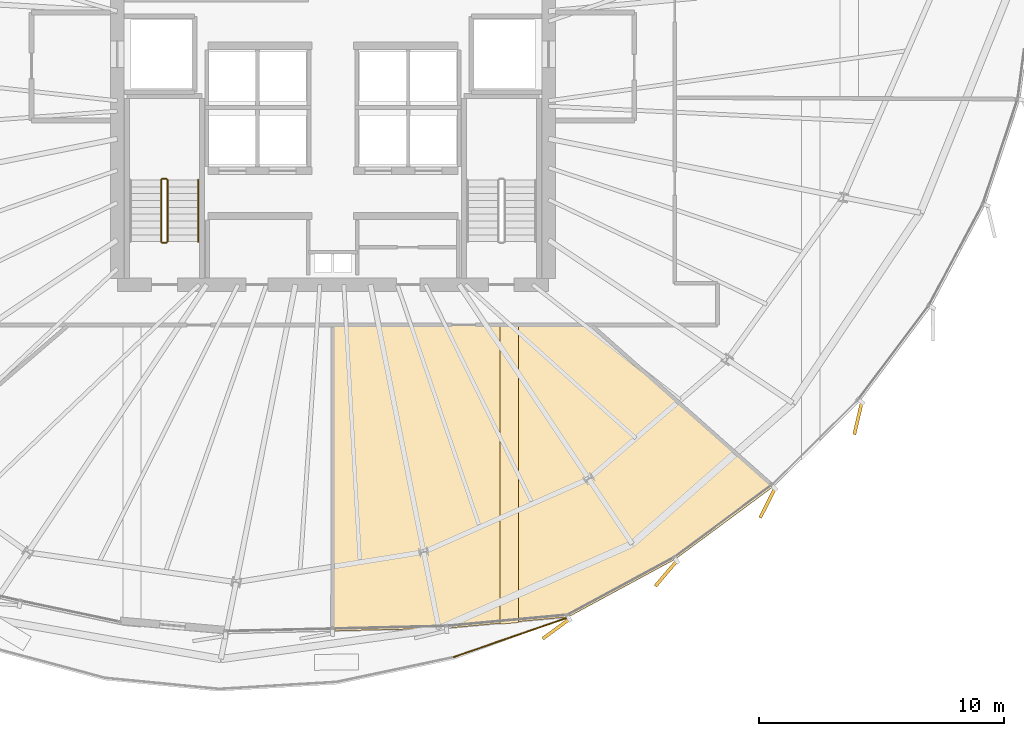
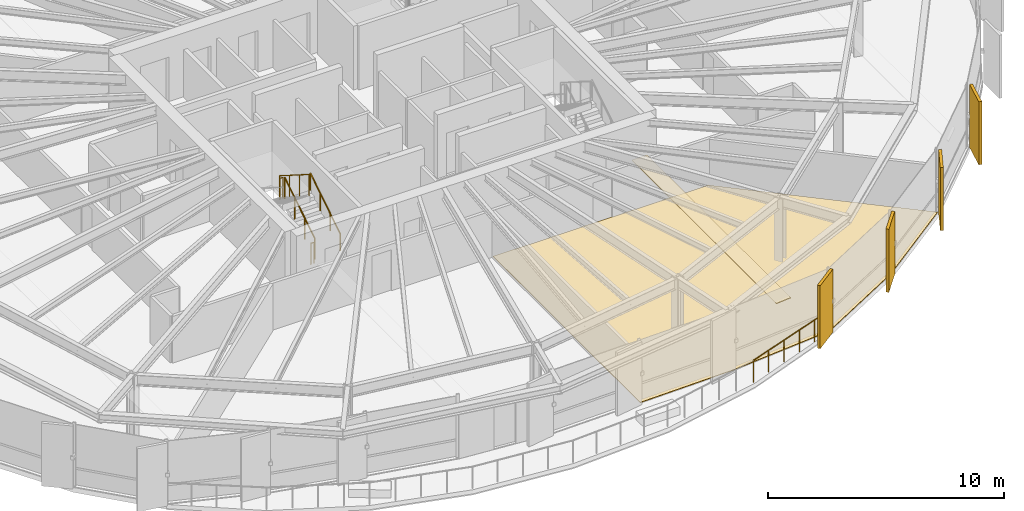
# One storey, part 35 of 37: 6 coverings, 6 railings.
"""IFC4 building model written with IfcOpenShell, lengths in metres."""

from ifc_helpers import new_model, si_unit, direction, frame, origin, origin_2d, place, context, subcontext, project, spatial, polyline, rectangle, circle, outline, extrude, source, transform, mapped, material, layer, layer_set, type_object, element, save


model = new_model("IFC4")

# Units and contexts
model_context = context("Model", 3, precision=1e-05, world=origin(), true_north=direction((0.0, 1.0)))
body_context = subcontext(model_context, "Body", "Model", "MODEL_VIEW")
ifc_project = project(units=[si_unit("LENGTHUNIT", "METRE"), si_unit("AREAUNIT", "SQUARE_METRE"), si_unit("VOLUMEUNIT", "CUBIC_METRE"), si_unit("PLANEANGLEUNIT", "RADIAN"), si_unit("MASSUNIT", "GRAM", prefix="KILO"), si_unit("THERMODYNAMICTEMPERATUREUNIT", "KELVIN")], contexts=[model_context])

# Site, building, storey
site_placement = place(None, origin())
site = spatial("IfcSite", under=ifc_project, at=site_placement, CompositionType="ELEMENT")
building_placement = place(site_placement, origin())
building = spatial("IfcBuilding", under=site, at=building_placement, Name="Kethvar Cultural Tower", CompositionType="ELEMENT")
storey_placement = place(building_placement, frame((0.0, 0.0, 132.35009765625)))
storey = spatial("IfcBuildingStorey", under=building, at=storey_placement, Name="L33", CompositionType="ELEMENT", Elevation=132.35009765625)

# Coverings
ifc_material_1 = material(Name="Acoustic Mineral Fibre Ceiling")
ifc_layer_1 = layer(ifc_material_1, 0.0400390625, Name="Acoustic Mineral Fibre Ceiling")
ifc_layer_set_1 = layer_set([ifc_layer_1], Name="Acoustic Mineral Fibre Ceiling (40 mm)")
covering_type_1 = type_object("IfcCoveringType", Name="CV-ACOUSTIC-CEIL", PredefinedType="CEILING", material=ifc_layer_set_1)
covering_1_placement = place(storey_placement, frame((0.0, 0.0, 2.559814453125)))
element("IfcCovering", 1, at=covering_1_placement, inside=storey, type_object=covering_type_1, Name="L33 Room 02 Acoustic Ceiling Panel", PredefinedType="CEILING", context=body_context, shape_type="SweptSolid", body=[
    extrude(outline(polyline([(53.627197265625, 6.236083984375), (53.627197265625, 18.469970703125), (54.377197265625, 18.469970703125), (54.377197265625, 6.305419921875), (53.627197265625, 6.236083984375)])), origin(), (0.0, 0.0, 1.0), 0.0400390625),
])
ifc_material_2 = material(Name="Honed Warm Limestone", Category="masonry")
ifc_layer_2 = layer(ifc_material_2, 0.030029296875, Name="Honed Warm Limestone", Category="masonry")
ifc_layer_set_2 = layer_set([ifc_layer_2], Name="Honed Warm Limestone (30 mm)")
covering_type_2 = type_object("IfcCoveringType", Name="CV-STONE-FLOOR", PredefinedType="FLOORING", material=ifc_layer_set_2)
covering_2_placement = place(storey_placement, origin())
element("IfcCovering", 2, at=covering_2_placement, inside=storey, type_object=covering_type_2, Name="L33 Room 02 Floor Finish", PredefinedType="FLOORING", context=body_context, shape_type="SweptSolid", body=[
    extrude(outline(polyline([(64.755615234375, 11.842529296875), (60.777099609375, 8.89599609375), (56.4052734375, 6.533203125), (51.435791015625, 6.07373046875), (46.80859375, 5.964111328125), (46.815185546875, 18.429931640625), (57.330810546875, 18.429931640625), (64.755615234375, 11.842529296875)])), origin(), (0.0, 0.0, 1.0), 0.02978515625),
])

# Railings
ifc_material_3 = material(Name="Steel S355J2", Category="steel")
railing_type_1 = type_object("IfcRailingType", Name="RL-EXT-GUARD-1150", PredefinedType="BALUSTRADE", material=ifc_material_3)
railing_1_placement = place(storey_placement, frame((51.735107421875, 4.89892578125, 0.0)))
element("IfcRailing", 3, at=railing_1_placement, inside=storey, type_object=railing_type_1, Name="L33 Spiralling Terrace Balustrade 07", PredefinedType="BALUSTRADE", context=body_context, shape_type="SweptSolid", body=[
    extrude(circle(Radius=0.02392578125, at=origin_2d()), frame((0.0, 0.0, 1.1259765625), z_axis=(0.94522813819, 0.326410426878, 0.0), x_axis=(-0.326410426878, 0.94522813819, 0.0)), (0.0, 0.0, 1.0), 4.947021484375),
    extrude(circle(Radius=0.02099609375, at=origin_2d()), origin(), (0.0, 0.0, 1.0), 1.101806640625),
    extrude(circle(Radius=0.02099609375, at=origin_2d()), frame((0.935302734375, 0.322998046875, 0.0)), (0.0, 0.0, 1.0), 1.101806640625),
    extrude(circle(Radius=0.02099609375, at=origin_2d()), frame((1.870361328125, 0.64599609375, 0.0)), (0.0, 0.0, 1.0), 1.101806640625),
    extrude(circle(Radius=0.02099609375, at=origin_2d()), frame((2.8056640625, 0.96875, 0.0)), (0.0, 0.0, 1.0), 1.101806640625),
    extrude(circle(Radius=0.02099609375, at=origin_2d()), frame((3.74072265625, 1.291748046875, 0.0)), (0.0, 0.0, 1.0), 1.101806640625),
    extrude(circle(Radius=0.02099609375, at=origin_2d()), frame((4.676025390625, 1.61474609375, 0.0)), (0.0, 0.0, 1.0), 1.101806640625),
])
railing_type_2 = type_object("IfcRailingType", Name="RL-STAIR-GUARD", PredefinedType="BALUSTRADE", material=ifc_material_3)
railing_2_placement = place(storey_placement, frame((40.050048828125, 21.85009765625, 0.177490234375)))
element("IfcRailing", 4, at=railing_2_placement, inside=storey, type_object=railing_type_2, Name="L33 ST-01 stair guard 1", PredefinedType="BALUSTRADE", context=body_context, shape_type="SweptSolid", body=[
    extrude(circle(Radius=0.02392578125, at=origin_2d()), frame((0.0, 0.0, 1.09619140625), z_axis=(0.0, 0.84460694969, 0.535386869969), x_axis=(-1.0, 0.0, 0.0)), (0.0, 0.0, 1.0), 2.983642578125),
    extrude(circle(Radius=0.02099609375, at=origin_2d()), origin(), (0.0, 0.0, 1.0), 1.072021484375),
    extrude(circle(Radius=0.02099609375, at=origin_2d()), frame((0.0, 0.840087890625, 0.532470703125)), (0.0, 0.0, 1.0), 1.072021484375),
    extrude(circle(Radius=0.02099609375, at=origin_2d()), frame((0.0, 1.679931640625, 1.06494140625)), (0.0, 0.0, 1.0), 1.072021484375),
    extrude(circle(Radius=0.02099609375, at=origin_2d()), frame((0.0, 2.52001953125, 1.597412109375)), (0.0, 0.0, 1.0), 1.072021484375),
])
railing_3_placement = place(storey_placement, frame((40.0, 24.419921875, 1.77490234375)))
element("IfcRailing", 5, at=railing_3_placement, inside=storey, type_object=railing_type_2, Name="L33 ST-01 stair guard 2", PredefinedType="BALUSTRADE", context=body_context, shape_type="SweptSolid", body=[
    extrude(circle(Radius=0.02392578125, at=origin_2d()), frame((0.0, 0.0, 1.09619140625), z_axis=(-1.0, 0.0, 0.0), x_axis=(0.0, -1.0, 0.0)), (0.0, 0.0, 1.0), 0.159912109375),
    extrude(circle(Radius=0.02099609375, at=origin_2d()), origin(), (0.0, 0.0, 1.0), 1.072021484375),
    extrude(circle(Radius=0.02099609375, at=origin_2d()), frame((-0.159912109375, 0.0, 0.0)), (0.0, 0.0, 1.0), 1.072021484375),
])
railing_4_placement = place(storey_placement, frame((39.7900390625, 24.3701171875, 1.952392578125)))
element("IfcRailing", 6, at=railing_4_placement, inside=storey, type_object=railing_type_2, Name="L33 ST-01 stair guard 3", PredefinedType="BALUSTRADE", context=body_context, shape_type="SweptSolid", body=[
    extrude(circle(Radius=0.02392578125, at=origin_2d()), frame((0.0, 0.0, 1.09619140625), z_axis=(0.0, -0.84460694969, 0.535386869969), x_axis=(1.0, 0.0, 0.0)), (0.0, 0.0, 1.0), 2.983642578125),
    extrude(circle(Radius=0.02099609375, at=origin_2d()), origin(), (0.0, 0.0, 1.0), 1.072021484375),
    extrude(circle(Radius=0.02099609375, at=origin_2d()), frame((0.0, -0.840087890625, 0.532470703125)), (0.0, 0.0, 1.0), 1.072021484375),
    extrude(circle(Radius=0.02099609375, at=origin_2d()), frame((0.0, -1.679931640625, 1.06494140625)), (0.0, 0.0, 1.0), 1.072021484375),
    extrude(circle(Radius=0.02099609375, at=origin_2d()), frame((0.0, -2.52001953125, 1.597412109375)), (0.0, 0.0, 1.0), 1.072021484375),
])
railing_5_placement = place(storey_placement, frame((40.0, 21.800048828125, 0.0)))
element("IfcRailing", 7, at=railing_5_placement, inside=storey, type_object=railing_type_2, Name="L33 ST-01 stair guard 4", PredefinedType="BALUSTRADE", context=body_context, shape_type="SweptSolid", body=[
    extrude(circle(Radius=0.02392578125, at=origin_2d()), frame((0.0, 0.0, 1.09619140625), z_axis=(-1.0, 0.0, 0.0), x_axis=(0.0, -1.0, 0.0)), (0.0, 0.0, 1.0), 0.159912109375),
    extrude(circle(Radius=0.02099609375, at=origin_2d()), origin(), (0.0, 0.0, 1.0), 1.072021484375),
    extrude(circle(Radius=0.02099609375, at=origin_2d()), frame((-0.159912109375, 0.0, 0.0)), (0.0, 0.0, 1.0), 1.072021484375),
])
railing_type_3 = type_object("IfcRailingType", Name="RL-STAIR-HANDRAIL", PredefinedType="HANDRAIL", material=ifc_material_3)
railing_6_placement = place(storey_placement, frame((41.300048828125, 21.85009765625, 0.177490234375)))
element("IfcRailing", 8, at=railing_6_placement, inside=storey, type_object=railing_type_3, Name="L33 ST-01 stair handrail 1", PredefinedType="HANDRAIL", context=body_context, shape_type="SweptSolid", body=[
    extrude(circle(Radius=0.02392578125, at=origin_2d()), frame((0.0, 0.0, 0.8759765625), z_axis=(0.0, 0.84460694969, 0.535386869969), x_axis=(-1.0, 0.0, 0.0)), (0.0, 0.0, 1.0), 2.983642578125),
    extrude(circle(Radius=0.02099609375, at=origin_2d()), origin(), (0.0, 0.0, 1.0), 0.851806640625),
    extrude(circle(Radius=0.02099609375, at=origin_2d()), frame((0.0, 0.840087890625, 0.532470703125)), (0.0, 0.0, 1.0), 0.851806640625),
    extrude(circle(Radius=0.02099609375, at=origin_2d()), frame((0.0, 1.679931640625, 1.06494140625)), (0.0, 0.0, 1.0), 0.851806640625),
    extrude(circle(Radius=0.02099609375, at=origin_2d()), frame((0.0, 2.52001953125, 1.597412109375)), (0.0, 0.0, 1.0), 0.851806640625),
])

# Coverings
ifc_material_4 = material(Name="Extruded Architectural Terracotta", Category="masonry")
ifc_layer_3 = layer(ifc_material_4, 0.135009765625, Name="Extruded Architectural Terracotta", Category="masonry")
ifc_layer_set_3 = layer_set([ifc_layer_3], Name="Extruded Architectural Terracotta (135 mm)")
covering_type_3 = type_object("IfcCoveringType", Name="Terracotta Facade Fin FIN-02", PredefinedType="CLADDING", material=ifc_layer_set_3)
shared_shape = source(origin(), body_context, "Body", "SweptSolid", [
    extrude(rectangle(XDim=1.35009765625, YDim=0.135009765625, at=origin_2d()), origin(), (0.0, 0.0, 1.0), 3.260009765625),
])
for number, where, z_axis, x_axis, name in (
    (9, (55.90576171875, 6.04296875, 0.02001953125), (0.0, 0.0, 1.0), (-0.80499735623, -0.593278397097, 0.0), "L33 Vertical Terracotta Fin 5.4"),
    (10, (60.396484375, 8.30224609375, 0.02001953125), (0.0, 0.0, 1.0), (-0.65037657455, -0.759611947823, 0.0), "L33 Vertical Terracotta Fin 5.5"),
    (11, (64.5390625, 11.181884765625, 0.02001953125), (0.0, 0.0, 1.0), (-0.451033319435, -0.892507111882, 0.0), "L33 Vertical Terracotta Fin 5.6"),
    (12, (68.23388671875, 14.640625, 0.02001953125), (0.0, 0.0, 1.0), (-0.227161248969, -0.973857159427, 0.0), "L33 Vertical Terracotta Fin 6.1"),
):
    element("IfcCovering", number, at=place(storey_placement, frame(where, z_axis=z_axis, x_axis=x_axis)), inside=storey, type_object=covering_type_3, Name=name, PredefinedType="CLADDING", context=body_context, shape_type="MappedRepresentation", body=[
        mapped(shared_shape, transform((0.0, 0.0, 0.0), scale=1.0)),
    ])

save(model, "model.ifc")
